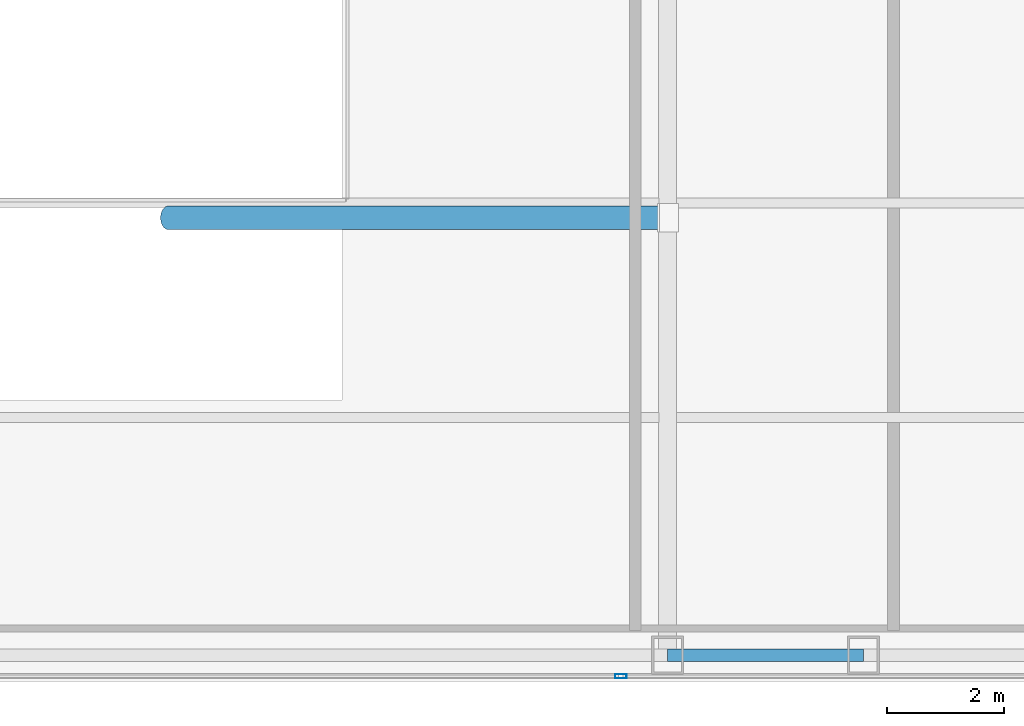
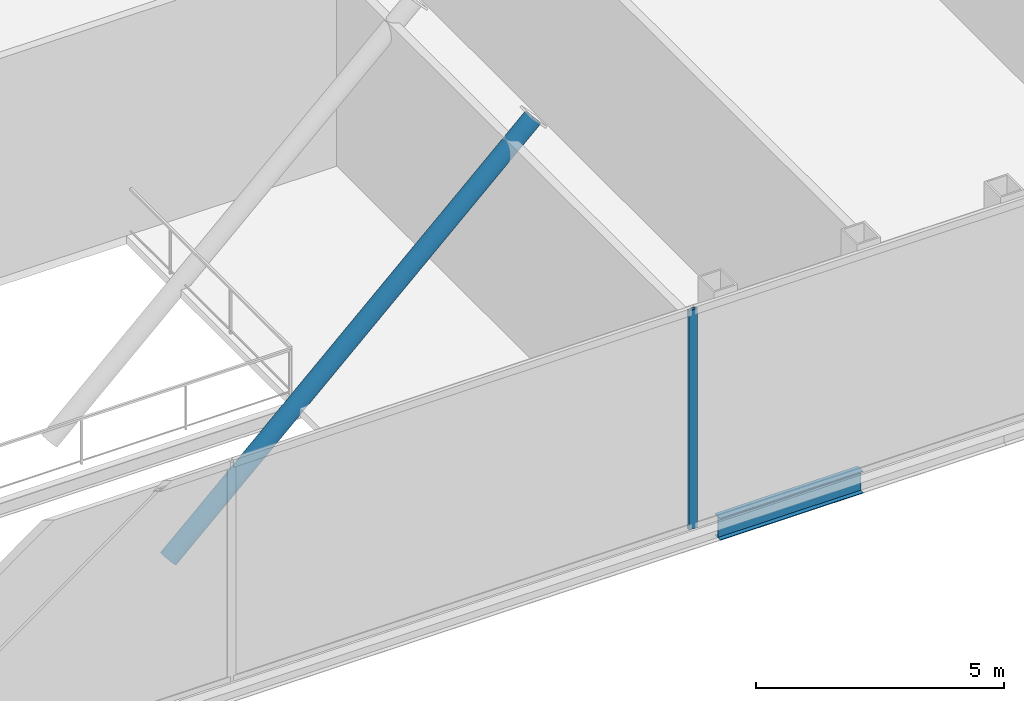
# One storey, part 10 of 23: 2 members, 1 beam, 1 element without a shape of its own.
"""IFC4 building model written with IfcOpenShell, lengths in metres."""

from ifc_helpers import new_model, si_unit, direction, frame, origin, origin_2d, place, context, subcontext, project, spatial, hollow_rectangle, hollow_circle, i_section, extrude, material, material_profile, profile_set, type_object, element, aggregate, save


model = new_model("IFC4")

# Units and contexts
model_context = context("Model", 3, precision=1e-05, world=origin(), true_north=direction((0.0, 1.0)))
body_context = subcontext(model_context, "Body", "Model", "MODEL_VIEW")
ifc_project = project(units=[si_unit("LENGTHUNIT", "METRE"), si_unit("AREAUNIT", "SQUARE_METRE"), si_unit("VOLUMEUNIT", "CUBIC_METRE"), si_unit("PLANEANGLEUNIT", "RADIAN"), si_unit("MASSUNIT", "GRAM", prefix="KILO")], contexts=[model_context])

# Site, building, storey
site_placement = place(None, origin())
site = spatial("IfcSite", under=ifc_project, at=site_placement, CompositionType="ELEMENT")
building_placement = place(site_placement, origin())
building = spatial("IfcBuilding", under=site, at=building_placement, Name="Khoronbel Lancet Exchange", CompositionType="ELEMENT")
storey_placement = place(building_placement, frame((0.0, 0.0, 356.199951171875)))
storey = spatial("IfcBuildingStorey", under=building, at=storey_placement, Name="L92", CompositionType="ELEMENT", Elevation=356.199951171875)

# Beam
ifc_material_1 = material(Name="Steel S355", Category="steel")
ifc_material_profile_1 = material_profile(ifc_material_1, i_section(OverallWidth=0.2099609375, OverallDepth=0.550048828125, WebThickness=0.010986328125, FlangeThickness=0.01708984375, at=origin_2d()), Name="IPE 550")
ifc_profile_set_1 = profile_set([ifc_material_profile_1], Name="Steel S355")
beam_type = type_object("IfcBeamType", Name="BM-BSP3", PredefinedType="SPANDREL", material=ifc_profile_set_1)
beam_placement = place(storey_placement, frame((48.0, 10.14990234375, -0.474853515625), z_axis=(1.0, 0.0, 0.0), x_axis=(0.0, 1.0, 0.0)))
element("IfcBeam", 1, at=beam_placement, inside=storey, type_object=beam_type, Name="Level L92 perimeter spandrel beam SP05", PredefinedType="SPANDREL", context=body_context, shape_type="SweptSolid", body=[
    extrude(i_section(OverallWidth=0.2099609375, OverallDepth=0.550048828125, WebThickness=0.010986328125, FlangeThickness=0.01708984375, at=origin_2d()), origin(), (0.0, 0.0, 1.0), 3.33740234375),
])

# Curtain wall, member
ifc_material_2 = material(Name="Low-E Solar Control Insulating Glass", Category="glass")
curtain_wall_type = type_object("IfcCurtainWallType", Name="CW-6", PredefinedType="NOTDEFINED", material=ifc_material_2)
curtain_wall_placement = place(storey_placement, origin())
curtain_wall = element("IfcCurtainWall", 2, at=curtain_wall_placement, inside=storey, type_object=curtain_wall_type, Name="Unitised curtain wall CW-L92-E12", PredefinedType="NOTDEFINED")
ifc_material_3 = material(Name="Bronze-Anodised Aluminium 6063-T6", Category="aluminium")
ifc_material_profile_2 = material_profile(ifc_material_3, hollow_rectangle(XDim=0.074951171875, YDim=0.199951171875, WallThickness=0.0048828125, at=origin_2d()), Name="ALU MULLION 75x200")
ifc_profile_set_2 = profile_set([ifc_material_profile_2], Name="Bronze-Anodised Aluminium 6063-T6")
member_type_1 = type_object("IfcMemberType", Name="MEM-CWM2", PredefinedType="MULLION", material=ifc_profile_set_2)
member_1_placement = place(storey_placement, frame((47.205078125, 9.7900390625, 0.0), z_axis=(0.0, 0.0, 1.0), x_axis=(0.0, -1.0, 0.0)))
member_1 = element("IfcMember", 3, at=member_1_placement, type_object=member_type_1, Name="CW6 mullion 2", PredefinedType="MULLION", context=body_context, shape_type="SweptSolid", body=[
    extrude(hollow_rectangle(XDim=0.074951171875, YDim=0.199951171875, WallThickness=0.0048828125, at=origin_2d()), origin(), (0.0, 0.0, 1.0), 5.400146484375),
])
aggregate(curtain_wall, [member_1])

# Member
ifc_material_profile_3 = material_profile(ifc_material_1, hollow_circle(Radius=0.203125, WallThickness=0.02001953125, at=origin_2d()), Name="CHS 406.4x20")
ifc_profile_set_3 = profile_set([ifc_material_profile_3], Name="Steel S355")
member_type_2 = type_object("IfcMemberType", Name="MEM-STR2", PredefinedType="STRUT", material=ifc_profile_set_3)
member_2_placement = place(storey_placement, frame((39.5, 17.60009765625, -2.800048828125), z_axis=(0.732480198105, 0.0, 0.680788336698), x_axis=(0.0, 1.0, 0.0)))
element("IfcMember", 4, at=member_2_placement, inside=storey, type_object=member_type_2, Name="Tuned mass damper pendulum hanger strut 2", PredefinedType="STRUT", context=body_context, shape_type="SweptSolid", body=[
    extrude(hollow_circle(Radius=0.203125, WallThickness=0.02001953125, at=origin_2d()), origin(), (0.0, 0.0, 1.0), 11.6044921875),
])

save(model, "model.ifc")
